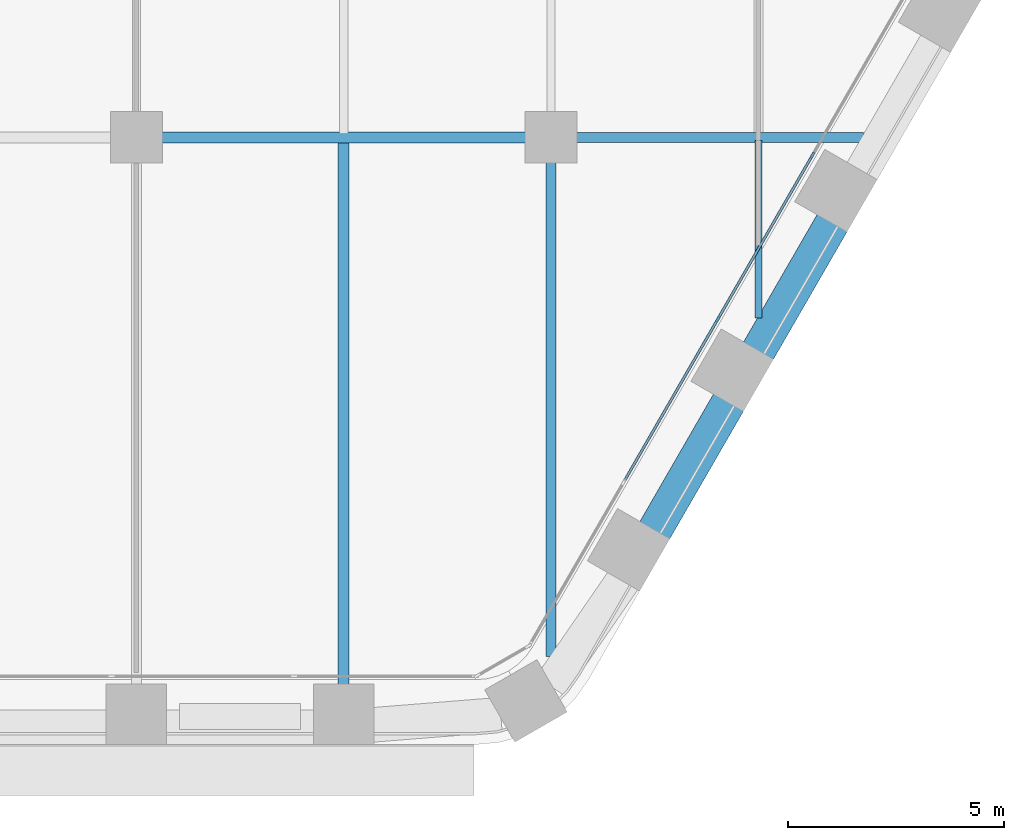
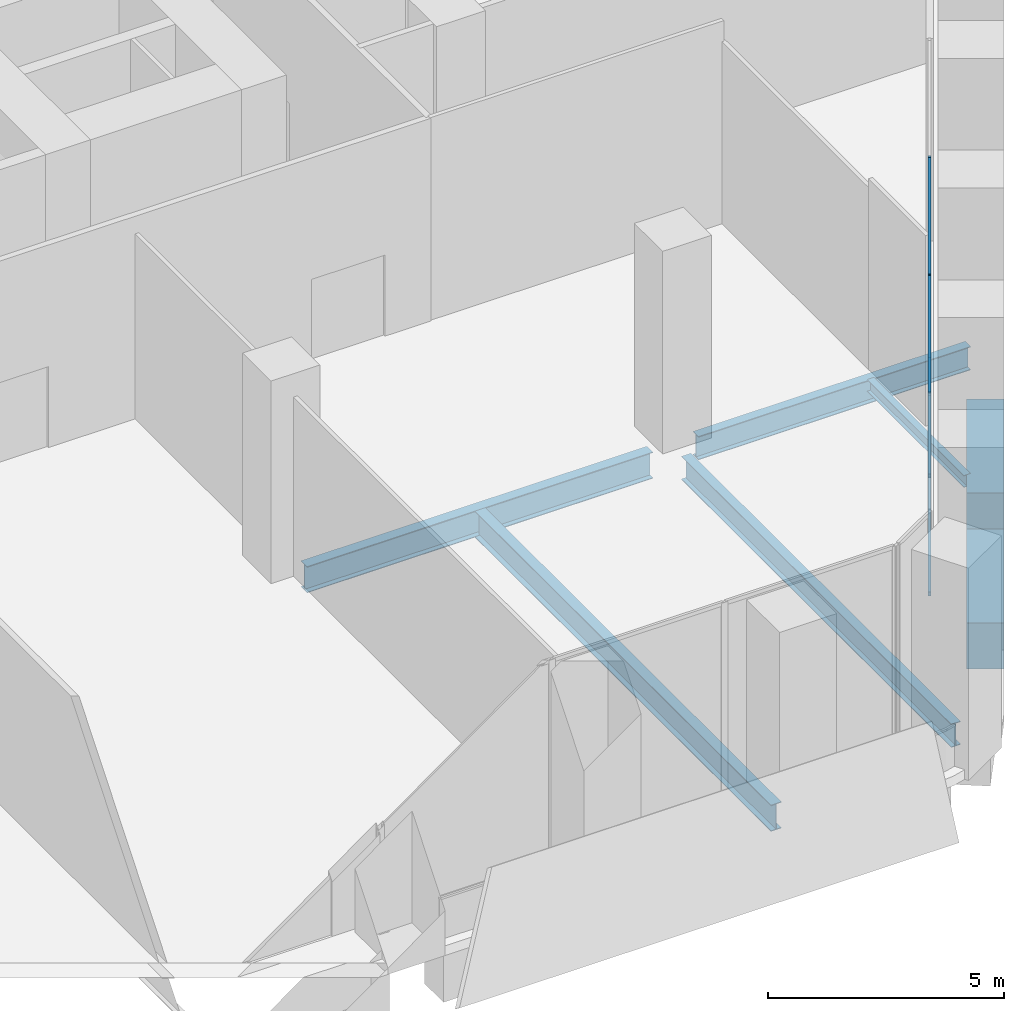
# One storey, part 5 of 27: 7 beams, 6 members, 1 element without a shape of its own.
"""IFC4 building model written with IfcOpenShell, lengths in metres."""

from ifc_helpers import new_model, si_unit, direction, frame, origin, origin_2d, place, context, subcontext, project, spatial, rectangle, i_section, extrude, material, material_profile, profile_set, type_object, element, aggregate, save


model = new_model("IFC4")

# Units and contexts
model_context = context("Model", 3, precision=1e-05, world=origin(), true_north=direction((0.0, 1.0)))
body_context = subcontext(model_context, "Body", "Model", "MODEL_VIEW")
ifc_project = project(units=[si_unit("LENGTHUNIT", "METRE"), si_unit("AREAUNIT", "SQUARE_METRE"), si_unit("VOLUMEUNIT", "CUBIC_METRE"), si_unit("PLANEANGLEUNIT", "RADIAN"), si_unit("MASSUNIT", "GRAM", prefix="KILO")], contexts=[model_context])

# Site, building, storey
site_placement = place(None, origin())
site = spatial("IfcSite", under=ifc_project, at=site_placement, CompositionType="ELEMENT")
building_placement = place(site_placement, origin())
building = spatial("IfcBuilding", under=site, at=building_placement, Name="Kolab Exchange Tower", CompositionType="ELEMENT")
storey_placement = place(building_placement, frame((0.0, 0.0, 44.39990234375)))
storey = spatial("IfcBuildingStorey", under=building, at=storey_placement, Name="L08", CompositionType="ELEMENT", Elevation=44.39990234375)

# Beams
ifc_material_1 = material(Name="Steel S355", Category="steel")
ifc_material_profile_1 = material_profile(ifc_material_1, i_section(OverallWidth=0.1650390625, OverallDepth=0.31005859375, WebThickness=0.005859375, FlangeThickness=0.009765625, at=origin_2d()), Name="W310X39")
ifc_profile_set_1 = profile_set([ifc_material_profile_1], Name="Steel S355")
beam_type_1 = type_object("IfcBeamType", Name="FLOOR BEAM W310X39", PredefinedType="BEAM", material=ifc_profile_set_1)
beam_1_placement = place(storey_placement, frame((24.0, -23.381591796875, -0.40478515625), z_axis=(0.0, 1.0, 0.0), x_axis=(-1.0, 0.0, 0.0)))
element("IfcBeam", 1, at=beam_1_placement, inside=storey, type_object=beam_type_1, Name="beam/L08/fr/052", PredefinedType="BEAM", context=body_context, shape_type="SweptSolid", body=[
    extrude(i_section(OverallWidth=0.1650390625, OverallDepth=0.31005859375, WebThickness=0.005859375, FlangeThickness=0.009765625, at=origin_2d()), origin(), (0.0, 0.0, 1.0), 4.107666015625),
])
ifc_material_profile_2 = material_profile(ifc_material_1, i_section(OverallWidth=0.22802734375, OverallDepth=0.60791015625, WebThickness=0.01123046875, FlangeThickness=0.017333984375, at=origin_2d()), Name="W610X113")
ifc_profile_set_2 = profile_set([ifc_material_profile_2], Name="Steel S355")
beam_type_2 = type_object("IfcBeamType", Name="FLOOR BEAM W610X113", PredefinedType="BEAM", material=ifc_profile_set_2)
beam_2_placement = place(storey_placement, frame((19.199951171875, -31.214599609375, -0.553955078125), z_axis=(0.0, 1.0, 0.0), x_axis=(-1.0, 0.0, 0.0)))
element("IfcBeam", 2, at=beam_2_placement, inside=storey, type_object=beam_type_2, Name="beam/L08/fr/046", PredefinedType="BEAM", context=body_context, shape_type="SweptSolid", body=[
    extrude(i_section(OverallWidth=0.22802734375, OverallDepth=0.60791015625, WebThickness=0.01123046875, FlangeThickness=0.017333984375, at=origin_2d()), origin(), (0.0, 0.0, 1.0), 11.45458984375),
])
ifc_material_profile_3 = material_profile(ifc_material_1, i_section(OverallWidth=0.25390625, OverallDepth=0.68408203125, WebThickness=0.012451171875, FlangeThickness=0.018798828125, at=origin_2d()), Name="W690X140")
ifc_profile_set_3 = profile_set([ifc_material_profile_3], Name="Steel S355")
beam_type_3 = type_object("IfcBeamType", Name="FLOOR BEAM W690X140", PredefinedType="BEAM", material=ifc_profile_set_3)
beam_3_placement = place(storey_placement, frame((14.39990234375, -31.8955078125, -0.591796875), z_axis=(0.0, 1.0, 0.0), x_axis=(-1.0, 0.0, 0.0)))
element("IfcBeam", 3, at=beam_3_placement, inside=storey, type_object=beam_type_3, Name="beam/L08/fr/042", PredefinedType="BEAM", context=body_context, shape_type="SweptSolid", body=[
    extrude(i_section(OverallWidth=0.25390625, OverallDepth=0.68408203125, WebThickness=0.012451171875, FlangeThickness=0.018798828125, at=origin_2d()), origin(), (0.0, 0.0, 1.0), 12.6083984375),
])
ifc_material_profile_4 = material_profile(ifc_material_1, i_section(OverallWidth=0.22802734375, OverallDepth=0.60791015625, WebThickness=0.01123046875, FlangeThickness=0.017333984375, at=origin_2d()), Name="W610X113")
ifc_profile_set_4 = profile_set([ifc_material_profile_4], Name="Steel S355")
beam_type_4 = type_object("IfcBeamType", Name="FLOOR GIRDER W610X113", PredefinedType="BEAM", material=ifc_profile_set_4)
beam_4_placement = place(storey_placement, frame((19.760009765625, -19.199951171875, -0.553955078125), z_axis=(1.0, 0.0, 0.0), x_axis=(0.0, 1.0, 0.0)))
element("IfcBeam", 4, at=beam_4_placement, inside=storey, type_object=beam_type_4, Name="beam/L08/gd/020", PredefinedType="BEAM", context=body_context, shape_type="SweptSolid", body=[
    extrude(i_section(OverallWidth=0.22802734375, OverallDepth=0.60791015625, WebThickness=0.01123046875, FlangeThickness=0.017333984375, at=origin_2d()), origin(), (0.0, 0.0, 1.0), 6.671142578125),
])
ifc_material_profile_5 = material_profile(ifc_material_1, i_section(OverallWidth=0.25390625, OverallDepth=0.68408203125, WebThickness=0.012451171875, FlangeThickness=0.018798828125, at=origin_2d()), Name="W690X140")
ifc_profile_set_5 = profile_set([ifc_material_profile_5], Name="Steel S355")
beam_type_5 = type_object("IfcBeamType", Name="FLOOR GIRDER W690X140", PredefinedType="BEAM", material=ifc_profile_set_5)
beam_5_placement = place(storey_placement, frame((10.159912109375, -19.199951171875, -0.591796875), z_axis=(1.0, 0.0, 0.0), x_axis=(0.0, 1.0, 0.0)))
element("IfcBeam", 5, at=beam_5_placement, inside=storey, type_object=beam_type_5, Name="beam/L08/gd/015", PredefinedType="BEAM", context=body_context, shape_type="SweptSolid", body=[
    extrude(i_section(OverallWidth=0.25390625, OverallDepth=0.68408203125, WebThickness=0.012451171875, FlangeThickness=0.018798828125, at=origin_2d()), origin(), (0.0, 0.0, 1.0), 8.47998046875),
])
ifc_material_2 = material(Name="Concrete C80/95", Category="concrete")
ifc_material_profile_6 = material_profile(ifc_material_2, rectangle(XDim=0.800048828125, YDim=1.199951171875, at=origin_2d()), Name="RC800X1200")
ifc_profile_set_6 = profile_set([ifc_material_profile_6], Name="Concrete C80/95")
beam_type_6 = type_object("IfcBeamType", Name="SPANDREL BEAM 800X1200 C80/95", PredefinedType="BEAM", material=ifc_profile_set_6)
beam_6_placement = place(storey_placement, frame((25.7236328125, -21.15625, -0.849853515625), z_axis=(-0.500009906705, -0.86601968407, 0.0), x_axis=(0.86601968407, -0.500009906705, 0.0)))
element("IfcBeam", 6, at=beam_6_placement, inside=storey, type_object=beam_type_6, Name="beam/L08/sp/F3-06", PredefinedType="BEAM", context=body_context, shape_type="SweptSolid", body=[
    extrude(rectangle(XDim=0.800048828125, YDim=1.199951171875, at=origin_2d()), origin(), (0.0, 0.0, 1.0), 3.47998046875),
])
beam_7_placement = place(storey_placement, frame((23.323486328125, -25.31298828125, -0.849853515625), z_axis=(-0.499979528911, -0.866037222451, 0.0), x_axis=(0.866037222451, -0.499979528911, 0.0)))
element("IfcBeam", 7, at=beam_7_placement, inside=storey, type_object=beam_type_6, Name="beam/L08/sp/F3-07", PredefinedType="BEAM", context=body_context, shape_type="SweptSolid", body=[
    extrude(rectangle(XDim=0.800048828125, YDim=1.199951171875, at=origin_2d()), origin(), (0.0, 0.0, 1.0), 3.480224609375),
])

# Curtain wall, members
ifc_material_3 = material(Name="Aluminium EN AW-6063 T6", Category="aluminium")
curtain_wall_type = type_object("IfcCurtainWallType", Name="UNITISED LOW ZONE CURTAIN WALL", PredefinedType="NOTDEFINED", material=ifc_material_3)
curtain_wall_placement = place(storey_placement, origin())
curtain_wall = element("IfcCurtainWall", 8, at=curtain_wall_placement, inside=storey, type_object=curtain_wall_type, Name="cw/L08/F3-2", PredefinedType="NOTDEFINED")
ifc_material_profile_7 = material_profile(ifc_material_3, rectangle(XDim=0.06005859375, YDim=0.159912109375, at=origin_2d()), Name="RECT 60X160")
ifc_profile_set_7 = profile_set([ifc_material_profile_7], Name="Aluminium EN AW-6063 T6")
member_type_1 = type_object("IfcMemberType", Name="UNITISED LOW ZONE MULLION 60 X 160", PredefinedType="MULLION", material=ifc_profile_set_7)
member_1_placement = place(storey_placement, frame((25.248291015625, -19.61962890625, 0.0), z_axis=(0.0, 0.0, 1.0), x_axis=(0.866025397318, -0.5000000112, 0.0)))
member_1 = element("IfcMember", 9, at=member_1_placement, type_object=member_type_1, Name="CW1 mullion 2", PredefinedType="MULLION", context=body_context, shape_type="SweptSolid", body=[
    extrude(rectangle(XDim=0.06005859375, YDim=0.159912109375, at=origin_2d()), origin(), (0.0, 0.0, 1.0), 5.25),
])
member_2_placement = place(storey_placement, frame((23.064697265625, -23.401611328125, 0.0), z_axis=(0.0, 0.0, 1.0), x_axis=(0.866025397318, -0.5000000112, 0.0)))
member_2 = element("IfcMember", 10, at=member_2_placement, type_object=member_type_1, Name="CW1 mullion 3", PredefinedType="MULLION", context=body_context, shape_type="SweptSolid", body=[
    extrude(rectangle(XDim=0.06005859375, YDim=0.159912109375, at=origin_2d()), origin(), (0.0, 0.0, 1.0), 5.25),
])
ifc_material_profile_8 = material_profile(ifc_material_3, rectangle(XDim=0.06005859375, YDim=0.10009765625, at=origin_2d()), Name="RECT 60X100")
ifc_profile_set_8 = profile_set([ifc_material_profile_8], Name="Aluminium EN AW-6063 T6")
member_type_2 = type_object("IfcMemberType", Name="UNITISED LOW ZONE TRANSOM 60 X 100", PredefinedType="USERDEFINED", material=ifc_profile_set_8)
member_3_placement = place(storey_placement, frame((25.233154296875, -19.6455078125, 0.030029296875), z_axis=(-0.500010313095, -0.866019449435, 0.0), x_axis=(0.866019449435, -0.500010313095, 0.0)))
member_3 = element("IfcMember", 11, at=member_3_placement, type_object=member_type_2, Name="CW1 transom 2.1", ObjectType="TRANSOM", PredefinedType="USERDEFINED", context=body_context, shape_type="SweptSolid", body=[
    extrude(rectangle(XDim=0.06005859375, YDim=0.10009765625, at=origin_2d()), origin(), (0.0, 0.0, 1.0), 4.30712890625),
])
member_4_placement = place(storey_placement, frame((25.233154296875, -19.6455078125, 5.22021484375), z_axis=(-0.500010313095, -0.866019449435, 0.0), x_axis=(0.866019449435, -0.500010313095, 0.0)))
member_4 = element("IfcMember", 12, at=member_4_placement, type_object=member_type_2, Name="CW1 transom 2.2", ObjectType="TRANSOM", PredefinedType="USERDEFINED", context=body_context, shape_type="SweptSolid", body=[
    extrude(rectangle(XDim=0.06005859375, YDim=0.10009765625, at=origin_2d()), origin(), (0.0, 0.0, 1.0), 4.30712890625),
])
member_5_placement = place(storey_placement, frame((23.0498046875, -23.427490234375, 0.030029296875), z_axis=(-0.500010313095, -0.866019449435, 0.0), x_axis=(0.866019449435, -0.500010313095, 0.0)))
member_5 = element("IfcMember", 13, at=member_5_placement, type_object=member_type_2, Name="CW1 transom 3.1", ObjectType="TRANSOM", PredefinedType="USERDEFINED", context=body_context, shape_type="SweptSolid", body=[
    extrude(rectangle(XDim=0.06005859375, YDim=0.10009765625, at=origin_2d()), origin(), (0.0, 0.0, 1.0), 4.30712890625),
])
member_6_placement = place(storey_placement, frame((23.0498046875, -23.427490234375, 5.22021484375), z_axis=(-0.500010313095, -0.866019449435, 0.0), x_axis=(0.866019449435, -0.500010313095, 0.0)))
member_6 = element("IfcMember", 14, at=member_6_placement, type_object=member_type_2, Name="CW1 transom 3.2", ObjectType="TRANSOM", PredefinedType="USERDEFINED", context=body_context, shape_type="SweptSolid", body=[
    extrude(rectangle(XDim=0.06005859375, YDim=0.10009765625, at=origin_2d()), origin(), (0.0, 0.0, 1.0), 4.30712890625),
])
aggregate(curtain_wall, [member_1, member_2, member_3, member_4, member_5, member_6])

save(model, "model.ifc")
